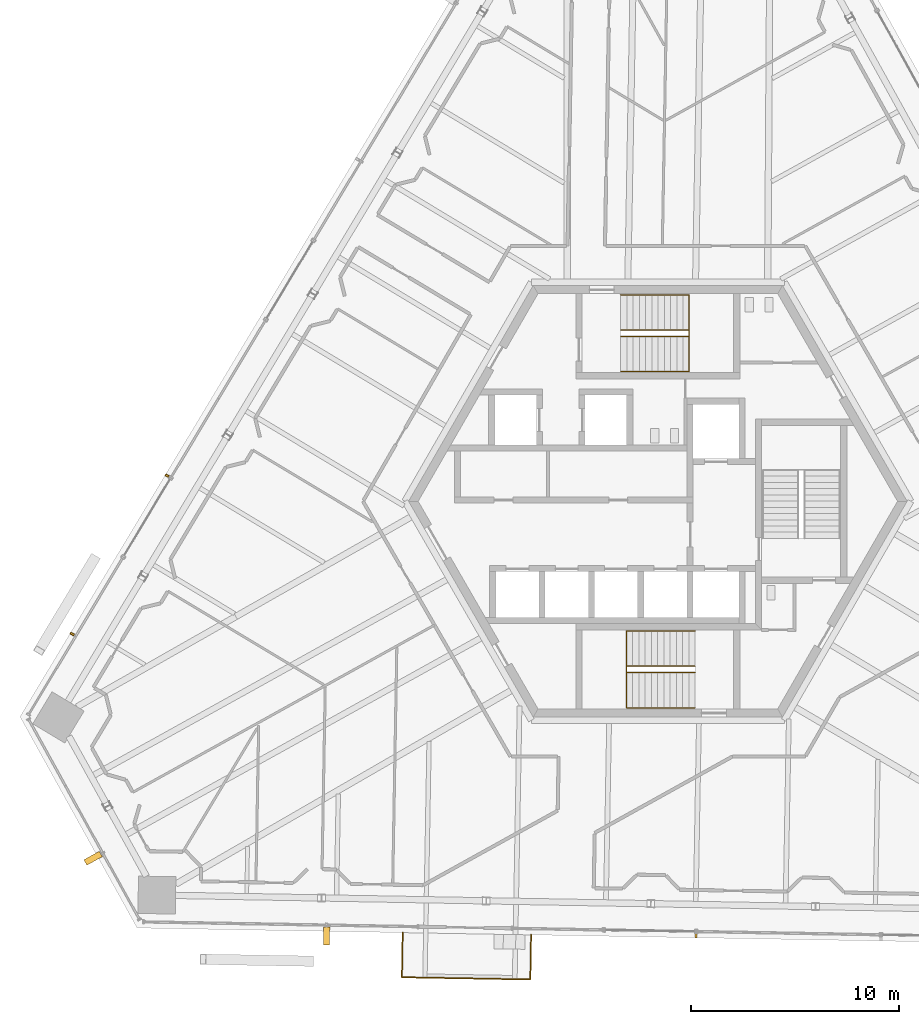
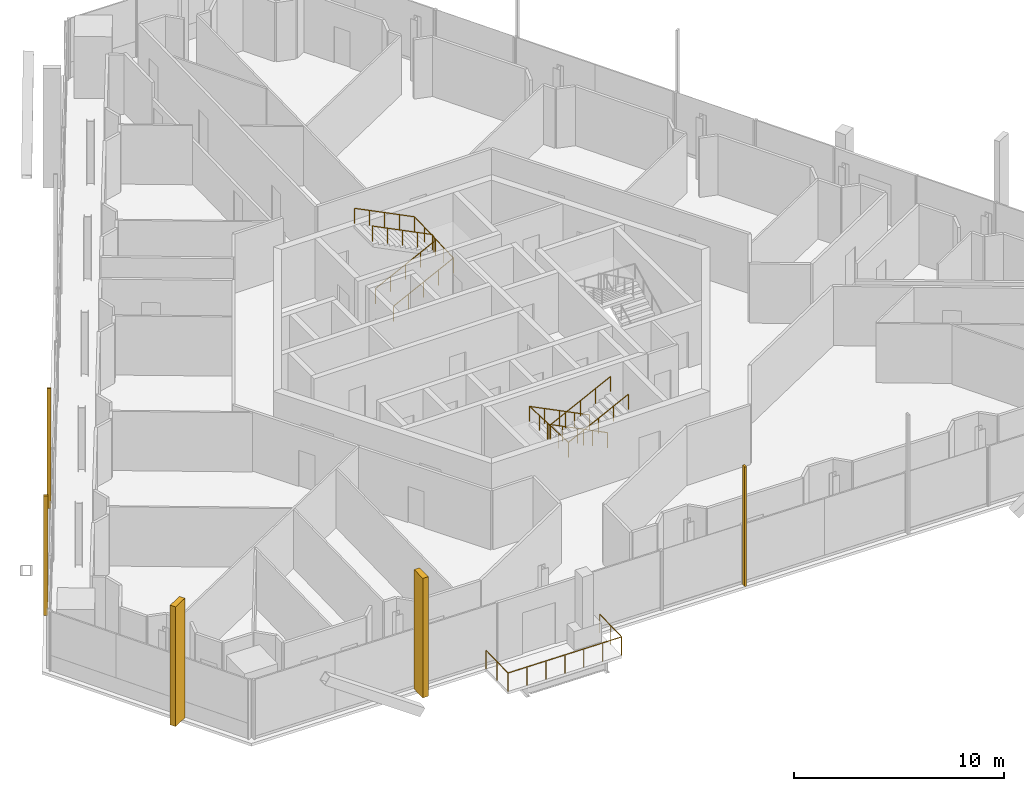
# One storey, part 17 of 22: 5 railings, 5 shading devices.
"""IFC4 building model written with IfcOpenShell, lengths in metres."""

from ifc_helpers import new_model, si_unit, direction, frame, origin, origin_2d, place, context, subcontext, project, spatial, rectangle, circle, extrude, source, transform, mapped, material, type_object, element, save


model = new_model("IFC4")

# Units and contexts
model_context = context("Model", 3, precision=1e-05, world=origin(), true_north=direction((0.0, 1.0)))
body_context = subcontext(model_context, "Body", "Model", "MODEL_VIEW")
ifc_project = project(units=[si_unit("LENGTHUNIT", "METRE"), si_unit("AREAUNIT", "SQUARE_METRE"), si_unit("VOLUMEUNIT", "CUBIC_METRE"), si_unit("PLANEANGLEUNIT", "RADIAN"), si_unit("MASSUNIT", "GRAM", prefix="KILO")], contexts=[model_context])

# Site, building, storey
site_placement = place(None, origin())
site = spatial("IfcSite", under=ifc_project, at=site_placement, CompositionType="ELEMENT")
building_placement = place(site_placement, origin())
building = spatial("IfcBuilding", under=site, at=building_placement, Name="Triune Harvest Tower", CompositionType="ELEMENT")
storey_placement = place(building_placement, frame((0.0, 0.0, 208.699951171875)))
storey = spatial("IfcBuildingStorey", under=building, at=storey_placement, Name="L54", CompositionType="ELEMENT", Elevation=208.699951171875)

# Railings
ifc_material_1 = material(Name="Glass", Category="glass")
railing_type_1 = type_object("IfcRailingType", Name="GD-2 balcony guard 1100", PredefinedType="GUARDRAIL", material=ifc_material_1)
railing_1_placement = place(storey_placement, frame((-12.285400390625, -20.765869140625, 0.0)))
element("IfcRailing", 1, at=railing_1_placement, inside=storey, type_object=railing_type_1, Name="Balcony guard B5-F5 L54.4", PredefinedType="GUARDRAIL", context=body_context, shape_type="SweptSolid", body=[
    extrude(circle(Radius=0.02392578125, at=origin_2d()), frame((0.0, 0.0, 1.076171875), z_axis=(-0.017505275435, -0.999846770926, 0.0), x_axis=(0.999846770926, -0.017505275435, 0.0)), (0.0, 0.0, 1.0), 2.147705078125),
    extrude(circle(Radius=0.02392578125, at=origin_2d()), frame((-0.03759765625, -2.1474609375, 1.076171875), z_axis=(0.999847112077, -0.017485779111, 0.0), x_axis=(0.017485779111, 0.999847112077, 0.0)), (0.0, 0.0, 1.0), 6.185302734375),
    extrude(circle(Radius=0.02392578125, at=origin_2d()), frame((6.146728515625, -2.255615234375, 1.076171875), z_axis=(0.01750328613, 0.999846805753, 0.0), x_axis=(-0.999846805753, 0.01750328613, 0.0)), (0.0, 0.0, 1.0), 2.14794921875),
    extrude(circle(Radius=0.02099609375, at=origin_2d()), origin(), (0.0, 0.0, 1.0), 1.052001953125),
    extrude(circle(Radius=0.02099609375, at=origin_2d()), frame((-0.018798828125, -1.07373046875, 0.0)), (0.0, 0.0, 1.0), 1.052001953125),
    extrude(circle(Radius=0.02099609375, at=origin_2d()), frame((-0.03759765625, -2.1474609375, 0.0)), (0.0, 0.0, 1.0), 1.052001953125),
    extrude(circle(Radius=0.02099609375, at=origin_2d()), frame((0.9931640625, -2.16552734375, 0.0)), (0.0, 0.0, 1.0), 1.052001953125),
    extrude(circle(Radius=0.02099609375, at=origin_2d()), frame((2.02392578125, -2.18359375, 0.0)), (0.0, 0.0, 1.0), 1.052001953125),
    extrude(circle(Radius=0.02099609375, at=origin_2d()), frame((3.0546875, -2.20166015625, 0.0)), (0.0, 0.0, 1.0), 1.052001953125),
    extrude(circle(Radius=0.02099609375, at=origin_2d()), frame((4.085205078125, -2.219482421875, 0.0)), (0.0, 0.0, 1.0), 1.052001953125),
    extrude(circle(Radius=0.02099609375, at=origin_2d()), frame((5.115966796875, -2.237548828125, 0.0)), (0.0, 0.0, 1.0), 1.052001953125),
    extrude(circle(Radius=0.02099609375, at=origin_2d()), frame((6.146728515625, -2.255615234375, 0.0)), (0.0, 0.0, 1.0), 1.052001953125),
    extrude(circle(Radius=0.02099609375, at=origin_2d()), frame((6.16552734375, -1.181640625, 0.0)), (0.0, 0.0, 1.0), 1.052001953125),
    extrude(circle(Radius=0.02099609375, at=origin_2d()), frame((6.184326171875, -0.10791015625, 0.0)), (0.0, 0.0, 1.0), 1.052001953125),
])
ifc_material_2 = material(Name="Stainless steel AISI 316", Category="steel")
railing_type_2 = type_object("IfcRailingType", Name="Stair handrail", PredefinedType="HANDRAIL", material=ifc_material_2)
shared_shape_1 = source(origin(), body_context, "Body", "SweptSolid", [
    extrude(circle(Radius=0.02392578125, at=origin_2d()), frame((0.0, 0.0, 0.8759765625), z_axis=(0.894440424912, 0.0, 0.447187126696), x_axis=(0.0, 1.0, 0.0)), (0.0, 0.0, 1.0), 3.689453125),
    extrude(circle(Radius=0.02392578125, at=origin_2d()), frame((3.300048828125, 0.0, 2.52587890625), z_axis=(0.0, 0.999180289278, 0.040481471304), x_axis=(-1.0, 0.0, 0.0)), (0.0, 0.0, 1.0), 3.702880859375),
    extrude(circle(Radius=0.02392578125, at=origin_2d()), frame((3.300048828125, 3.699951171875, 2.67578125), z_axis=(-0.894413956696, 0.0, 0.447240063129), x_axis=(0.0, -1.0, 0.0)), (0.0, 0.0, 1.0), 3.689697265625),
    extrude(circle(Radius=0.02099609375, at=origin_2d()), origin(), (0.0, 0.0, 1.0), 0.851806640625),
    extrude(circle(Radius=0.02099609375, at=origin_2d()), frame((0.824951171875, 0.0, 0.41259765625)), (0.0, 0.0, 1.0), 0.851806640625),
    extrude(circle(Radius=0.02099609375, at=origin_2d()), frame((1.64990234375, 0.0, 0.824951171875)), (0.0, 0.0, 1.0), 0.851806640625),
    extrude(circle(Radius=0.02099609375, at=origin_2d()), frame((2.47509765625, 0.0, 1.2373046875)), (0.0, 0.0, 1.0), 0.851806640625),
    extrude(circle(Radius=0.02099609375, at=origin_2d()), frame((3.300048828125, 0.0, 1.64990234375)), (0.0, 0.0, 1.0), 0.851806640625),
    extrude(circle(Radius=0.02099609375, at=origin_2d()), frame((3.300048828125, 0.925048828125, 1.6875)), (0.0, 0.0, 1.0), 0.851806640625),
    extrude(circle(Radius=0.02099609375, at=origin_2d()), frame((3.300048828125, 1.85009765625, 1.724853515625)), (0.0, 0.0, 1.0), 0.851806640625),
    extrude(circle(Radius=0.02099609375, at=origin_2d()), frame((3.300048828125, 2.77490234375, 1.76220703125)), (0.0, 0.0, 1.0), 0.851806640625),
    extrude(circle(Radius=0.02099609375, at=origin_2d()), frame((3.300048828125, 3.699951171875, 1.7998046875)), (0.0, 0.0, 1.0), 0.851806640625),
    extrude(circle(Radius=0.02099609375, at=origin_2d()), frame((2.47509765625, 3.699951171875, 2.21240234375)), (0.0, 0.0, 1.0), 0.851806640625),
    extrude(circle(Radius=0.02099609375, at=origin_2d()), frame((1.64990234375, 3.699951171875, 2.625)), (0.0, 0.0, 1.0), 0.851806640625),
    extrude(circle(Radius=0.02099609375, at=origin_2d()), frame((0.824951171875, 3.699951171875, 3.037353515625)), (0.0, 0.0, 1.0), 0.851806640625),
    extrude(circle(Radius=0.02099609375, at=origin_2d()), frame((0.0, 3.699951171875, 3.449951171875)), (0.0, 0.0, 1.0), 0.851806640625),
])
railing_2_placement = place(storey_placement, frame((-1.7900390625, 6.239990234375, 0.150146484375)))
element("IfcRailing", 2, at=railing_2_placement, inside=storey, type_object=railing_type_2, Name="Exit stair north wall handrail", PredefinedType="HANDRAIL", context=body_context, shape_type="MappedRepresentation", body=[
    mapped(shared_shape_1, transform((0.0, 0.0, 0.0), scale=1.0)),
])
shared_shape_2 = source(origin(), body_context, "Body", "SweptSolid", [
    extrude(circle(Radius=0.02392578125, at=origin_2d()), frame((0.0, 0.0, 0.8759765625), z_axis=(0.894440424912, 0.0, 0.447187126696), x_axis=(0.0, 1.0, 0.0)), (0.0, 0.0, 1.0), 3.689453125),
    extrude(circle(Radius=0.02392578125, at=origin_2d()), frame((3.300048828125, 0.0, 2.52587890625), z_axis=(0.0, 0.894572720946, 0.446922417137), x_axis=(-1.0, 0.0, 0.0)), (0.0, 0.0, 1.0), 0.33544921875),
    extrude(circle(Radius=0.02392578125, at=origin_2d()), frame((3.300048828125, 0.300048828125, 2.67578125), z_axis=(-0.894413956696, 0.0, 0.447240063129), x_axis=(0.0, -1.0, 0.0)), (0.0, 0.0, 1.0), 3.689697265625),
    extrude(circle(Radius=0.02099609375, at=origin_2d()), origin(), (0.0, 0.0, 1.0), 0.851806640625),
    extrude(circle(Radius=0.02099609375, at=origin_2d()), frame((0.824951171875, 0.0, 0.41259765625)), (0.0, 0.0, 1.0), 0.851806640625),
    extrude(circle(Radius=0.02099609375, at=origin_2d()), frame((1.64990234375, 0.0, 0.824951171875)), (0.0, 0.0, 1.0), 0.851806640625),
    extrude(circle(Radius=0.02099609375, at=origin_2d()), frame((2.47509765625, 0.0, 1.2373046875)), (0.0, 0.0, 1.0), 0.851806640625),
    extrude(circle(Radius=0.02099609375, at=origin_2d()), frame((3.300048828125, 0.0, 1.64990234375)), (0.0, 0.0, 1.0), 0.851806640625),
    extrude(circle(Radius=0.02099609375, at=origin_2d()), frame((3.300048828125, 0.300048828125, 1.7998046875)), (0.0, 0.0, 1.0), 0.851806640625),
    extrude(circle(Radius=0.02099609375, at=origin_2d()), frame((2.47509765625, 0.300048828125, 2.21240234375)), (0.0, 0.0, 1.0), 0.851806640625),
    extrude(circle(Radius=0.02099609375, at=origin_2d()), frame((1.64990234375, 0.300048828125, 2.625)), (0.0, 0.0, 1.0), 0.851806640625),
    extrude(circle(Radius=0.02099609375, at=origin_2d()), frame((0.824951171875, 0.300048828125, 3.037353515625)), (0.0, 0.0, 1.0), 0.851806640625),
    extrude(circle(Radius=0.02099609375, at=origin_2d()), frame((0.0, 0.300048828125, 3.449951171875)), (0.0, 0.0, 1.0), 0.851806640625),
])
railing_3_placement = place(storey_placement, frame((-1.7900390625, 7.93994140625, 0.150146484375)))
element("IfcRailing", 3, at=railing_3_placement, inside=storey, type_object=railing_type_2, Name="Exit stair north centre handrail", PredefinedType="HANDRAIL", context=body_context, shape_type="MappedRepresentation", body=[
    mapped(shared_shape_2, transform((0.0, 0.0, 0.0), scale=1.0)),
])
shared_shape_3 = source(origin(), body_context, "Body", "SweptSolid", [
    extrude(circle(Radius=0.02392578125, at=origin_2d()), frame((0.0, 0.0, 0.8759765625), z_axis=(-0.894440424912, 0.0, 0.447187126696), x_axis=(0.0, -1.0, 0.0)), (0.0, 0.0, 1.0), 3.689453125),
    extrude(circle(Radius=0.02392578125, at=origin_2d()), frame((-3.300048828125, 0.0, 2.52587890625), z_axis=(0.0, -0.999180289278, 0.040481471304), x_axis=(1.0, 0.0, 0.0)), (0.0, 0.0, 1.0), 3.702880859375),
    extrude(circle(Radius=0.02392578125, at=origin_2d()), frame((-3.300048828125, -3.699951171875, 2.67578125), z_axis=(0.894413956696, 0.0, 0.447240063129), x_axis=(0.0, 1.0, 0.0)), (0.0, 0.0, 1.0), 3.689697265625),
    extrude(circle(Radius=0.02099609375, at=origin_2d()), origin(), (0.0, 0.0, 1.0), 0.851806640625),
    extrude(circle(Radius=0.02099609375, at=origin_2d()), frame((-0.824951171875, 0.0, 0.41259765625)), (0.0, 0.0, 1.0), 0.851806640625),
    extrude(circle(Radius=0.02099609375, at=origin_2d()), frame((-1.64990234375, 0.0, 0.824951171875)), (0.0, 0.0, 1.0), 0.851806640625),
    extrude(circle(Radius=0.02099609375, at=origin_2d()), frame((-2.47509765625, 0.0, 1.2373046875)), (0.0, 0.0, 1.0), 0.851806640625),
    extrude(circle(Radius=0.02099609375, at=origin_2d()), frame((-3.300048828125, 0.0, 1.64990234375)), (0.0, 0.0, 1.0), 0.851806640625),
    extrude(circle(Radius=0.02099609375, at=origin_2d()), frame((-3.300048828125, -0.925048828125, 1.6875)), (0.0, 0.0, 1.0), 0.851806640625),
    extrude(circle(Radius=0.02099609375, at=origin_2d()), frame((-3.300048828125, -1.85009765625, 1.724853515625)), (0.0, 0.0, 1.0), 0.851806640625),
    extrude(circle(Radius=0.02099609375, at=origin_2d()), frame((-3.300048828125, -2.77490234375, 1.76220703125)), (0.0, 0.0, 1.0), 0.851806640625),
    extrude(circle(Radius=0.02099609375, at=origin_2d()), frame((-3.300048828125, -3.699951171875, 1.7998046875)), (0.0, 0.0, 1.0), 0.851806640625),
    extrude(circle(Radius=0.02099609375, at=origin_2d()), frame((-2.47509765625, -3.699951171875, 2.21240234375)), (0.0, 0.0, 1.0), 0.851806640625),
    extrude(circle(Radius=0.02099609375, at=origin_2d()), frame((-1.64990234375, -3.699951171875, 2.625)), (0.0, 0.0, 1.0), 0.851806640625),
    extrude(circle(Radius=0.02099609375, at=origin_2d()), frame((-0.824951171875, -3.699951171875, 3.037353515625)), (0.0, 0.0, 1.0), 0.851806640625),
    extrude(circle(Radius=0.02099609375, at=origin_2d()), frame((0.0, -3.699951171875, 3.449951171875)), (0.0, 0.0, 1.0), 0.851806640625),
])
railing_4_placement = place(storey_placement, frame((1.7900390625, -6.239990234375, 0.150146484375)))
element("IfcRailing", 4, at=railing_4_placement, inside=storey, type_object=railing_type_2, Name="Exit stair south wall handrail", PredefinedType="HANDRAIL", context=body_context, shape_type="MappedRepresentation", body=[
    mapped(shared_shape_3, transform((0.0, 0.0, 0.0), scale=1.0)),
])
shared_shape_4 = source(origin(), body_context, "Body", "SweptSolid", [
    extrude(circle(Radius=0.02392578125, at=origin_2d()), frame((0.0, 0.0, 0.8759765625), z_axis=(-0.894440424912, 0.0, 0.447187126696), x_axis=(0.0, -1.0, 0.0)), (0.0, 0.0, 1.0), 3.689453125),
    extrude(circle(Radius=0.02392578125, at=origin_2d()), frame((-3.300048828125, 0.0, 2.52587890625), z_axis=(0.0, -0.894572720946, 0.446922417137), x_axis=(1.0, 0.0, 0.0)), (0.0, 0.0, 1.0), 0.33544921875),
    extrude(circle(Radius=0.02392578125, at=origin_2d()), frame((-3.300048828125, -0.300048828125, 2.67578125), z_axis=(0.894413956696, 0.0, 0.447240063129), x_axis=(0.0, 1.0, 0.0)), (0.0, 0.0, 1.0), 3.689697265625),
    extrude(circle(Radius=0.02099609375, at=origin_2d()), origin(), (0.0, 0.0, 1.0), 0.851806640625),
    extrude(circle(Radius=0.02099609375, at=origin_2d()), frame((-0.824951171875, 0.0, 0.41259765625)), (0.0, 0.0, 1.0), 0.851806640625),
    extrude(circle(Radius=0.02099609375, at=origin_2d()), frame((-1.64990234375, 0.0, 0.824951171875)), (0.0, 0.0, 1.0), 0.851806640625),
    extrude(circle(Radius=0.02099609375, at=origin_2d()), frame((-2.47509765625, 0.0, 1.2373046875)), (0.0, 0.0, 1.0), 0.851806640625),
    extrude(circle(Radius=0.02099609375, at=origin_2d()), frame((-3.300048828125, 0.0, 1.64990234375)), (0.0, 0.0, 1.0), 0.851806640625),
    extrude(circle(Radius=0.02099609375, at=origin_2d()), frame((-3.300048828125, -0.300048828125, 1.7998046875)), (0.0, 0.0, 1.0), 0.851806640625),
    extrude(circle(Radius=0.02099609375, at=origin_2d()), frame((-2.47509765625, -0.300048828125, 2.21240234375)), (0.0, 0.0, 1.0), 0.851806640625),
    extrude(circle(Radius=0.02099609375, at=origin_2d()), frame((-1.64990234375, -0.300048828125, 2.625)), (0.0, 0.0, 1.0), 0.851806640625),
    extrude(circle(Radius=0.02099609375, at=origin_2d()), frame((-0.824951171875, -0.300048828125, 3.037353515625)), (0.0, 0.0, 1.0), 0.851806640625),
    extrude(circle(Radius=0.02099609375, at=origin_2d()), frame((0.0, -0.300048828125, 3.449951171875)), (0.0, 0.0, 1.0), 0.851806640625),
])
railing_5_placement = place(storey_placement, frame((1.7900390625, -7.93994140625, 0.150146484375)))
element("IfcRailing", 5, at=railing_5_placement, inside=storey, type_object=railing_type_2, Name="Exit stair south centre handrail", PredefinedType="HANDRAIL", context=body_context, shape_type="MappedRepresentation", body=[
    mapped(shared_shape_4, transform((0.0, 0.0, 0.0), scale=1.0)),
])

# Shading devices
ifc_material_3 = material(Name="Aluminium bronze anodised", Category="aluminium")
shared_shape_5 = source(origin(), body_context, "Body", "SweptSolid", [
    extrude(rectangle(XDim=0.300048828125, YDim=0.85009765625, at=origin_2d()), origin(), (0.0, 0.0, 1.0), 6.949951171875),
])
for number, where, z_axis, x_axis, name in (
    (6, (-27.187255859375, -17.185302734375, 0.0), (0.0, 0.0, 1.0), (0.484801950362, -0.874623958582, 0.0), "FN-2 fin B5-F4.3 L54"),
    (7, (-15.949951171875, -20.927001953125, 0.0), (0.0, 0.0, 1.0), (0.999847708228, -0.017451657526, 0.0), "FN-2 fin B5-F5.3 L54"),
):
    element("IfcShadingDevice", number, at=place(storey_placement, frame(where, z_axis=z_axis, x_axis=x_axis)), inside=storey, material=ifc_material_3, Name=name, ObjectType="FIN", PredefinedType="USERDEFINED", context=body_context, shape_type="MappedRepresentation", body=[
        mapped(shared_shape_5, transform((0.0, 0.0, 0.0), scale=1.0)),
    ])
shared_shape_6 = source(origin(), body_context, "Body", "SweptSolid", [
    extrude(rectangle(XDim=0.10009765625, YDim=0.199951171875, at=origin_2d()), origin(), (0.0, 0.0, 1.0), 6.949951171875),
])
for number, where, z_axis, x_axis, name in (
    (8, (-23.617431640625, 1.228759765625, 0.0), (0.0, 0.0, 1.0), (-0.515036632219, -0.857168167557, 0.0), "FN-1 fin B5-F3.9 L54"),
    (9, (-28.1953125, -6.39013671875, 0.0), (0.0, 0.0, 1.0), (-0.515036632219, -0.857168167557, 0.0), "FN-1 fin B5-F3.11 L54"),
    (10, (1.83984375, -20.912353515625, 0.0), (0.0, 0.0, 1.0), (0.999847708228, -0.017451657526, 0.0), "FN-1 fin B5-F5.7 L54"),
):
    element("IfcShadingDevice", number, at=place(storey_placement, frame(where, z_axis=z_axis, x_axis=x_axis)), inside=storey, material=ifc_material_3, Name=name, ObjectType="FIN", PredefinedType="USERDEFINED", context=body_context, shape_type="MappedRepresentation", body=[
        mapped(shared_shape_6, transform((0.0, 0.0, 0.0), scale=1.0)),
    ])

save(model, "model.ifc")
